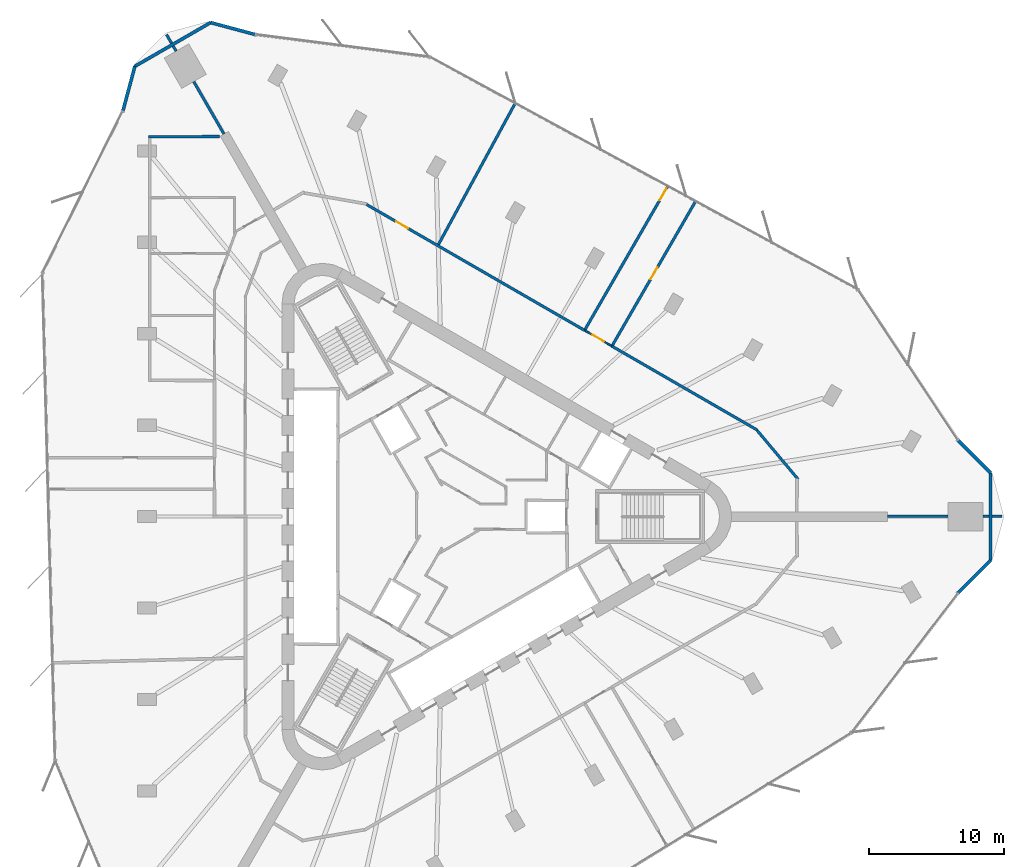
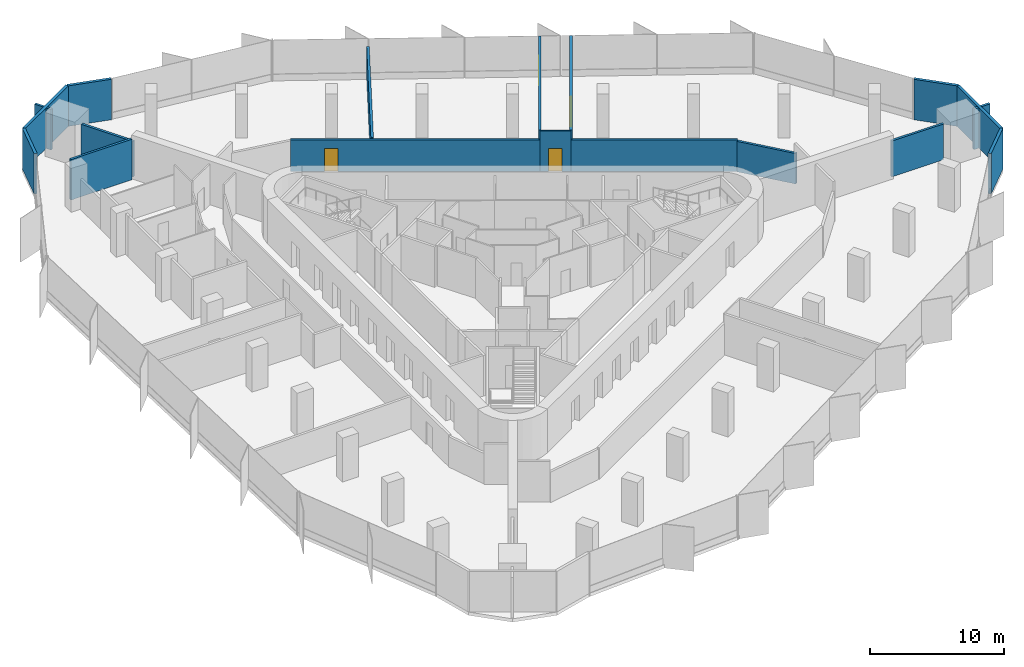
# One storey, part 12 of 14: 20 walls, 4 doors, 4 openings.
"""IFC4 building model written with IfcOpenShell, lengths in metres."""

from ifc_helpers import new_model, si_unit, direction, frame, frame_2d, origin, place, context, subcontext, project, spatial, rectangle, extrude, material, layer, layer_set, type_object, element, fill, save


model = new_model("IFC4")

# Units and contexts
model_context = context("Model", 3, precision=1e-05, world=origin(), true_north=direction((0.0, 1.0)))
body_context = subcontext(model_context, "Body", "Model", "MODEL_VIEW")
ifc_project = project(units=[si_unit("LENGTHUNIT", "METRE"), si_unit("AREAUNIT", "SQUARE_METRE"), si_unit("VOLUMEUNIT", "CUBIC_METRE"), si_unit("PLANEANGLEUNIT", "RADIAN"), si_unit("MASSUNIT", "GRAM", prefix="KILO")], contexts=[model_context])

# Site, building, storey
site_placement = place(None, origin())
site = spatial("IfcSite", under=ifc_project, at=site_placement, CompositionType="ELEMENT")
building_placement = place(site_placement, origin())
building = spatial("IfcBuilding", under=site, at=building_placement, Name="Tanit Gate Tower", CompositionType="ELEMENT")
storey_placement = place(building_placement, frame((0.0, 0.0, 225.199951171875)))
storey = spatial("IfcBuildingStorey", under=building, at=storey_placement, Name="L50", CompositionType="ELEMENT", Elevation=225.199951171875)

# Walls
ifc_material_1 = material(Name="Concrete C30/37 with bronze anodised aluminium cladding", Category="concrete")
ifc_layer_1 = layer(ifc_material_1, 0.239990234375)
ifc_layer_set_1 = layer_set([ifc_layer_1], Name="Facade wall bronze clad 240")
wall_type_1 = type_object("IfcWallType", Name="Facade wall bronze clad 240", PredefinedType="SOLIDWALL", material=ifc_layer_set_1)
wall_1_placement = place(storey_placement, frame((-14.09521484375, 35.705322265625, 0.0), z_axis=(0.0, 0.0, 1.0), x_axis=(-0.965908597484, 0.258883335322, 0.0)))
element("IfcWall", 1, at=wall_1_placement, inside=storey, type_object=wall_type_1, Name="Bronze-clad facade wall L50 NW.arc1", PredefinedType="SOLIDWALL", context=body_context, shape_type="SweptSolid", body=[
    extrude(rectangle(XDim=3.397705078125, YDim=0.239990234375, at=frame_2d((1.69873046875, 0.0))), origin(), (0.0, 0.0, 1.0), 3.699951171875),
])
wall_2_placement = place(storey_placement, frame((-17.377197265625, 36.5849609375, 0.0), z_axis=(0.0, 0.0, 1.0), x_axis=(-0.866022628259, -0.50000480732, 0.0)))
element("IfcWall", 2, at=wall_2_placement, inside=storey, type_object=wall_type_1, Name="Bronze-clad facade wall L50 NW.arc2", PredefinedType="SOLIDWALL", context=body_context, shape_type="SweptSolid", body=[
    extrude(rectangle(XDim=6.48681640625, YDim=0.239990234375, at=frame_2d((3.243408203125, 0.0))), origin(), (0.0, 0.0, 1.0), 3.699951171875),
])
wall_3_placement = place(storey_placement, frame((-22.994873046875, 33.341552734375, 0.0), z_axis=(0.0, 0.0, 1.0), x_axis=(-0.25879706975, -0.965931714299, 0.0)))
element("IfcWall", 3, at=wall_3_placement, inside=storey, type_object=wall_type_1, Name="Bronze-clad facade wall L50 NW.arc3", PredefinedType="SOLIDWALL", context=body_context, shape_type="SweptSolid", body=[
    extrude(rectangle(XDim=3.40185546875, YDim=0.239990234375, at=frame_2d((1.700927734375, 0.0))), origin(), (0.0, 0.0, 1.0), 3.699951171875),
])
wall_4_placement = place(storey_placement, frame((37.96923828125, -5.64599609375, 0.0), z_axis=(0.0, 0.0, 1.0), x_axis=(0.70714270502, 0.707070855528, 0.0)))
element("IfcWall", 4, at=wall_4_placement, inside=storey, type_object=wall_type_1, Name="Bronze-clad facade wall L50 E.arc1", PredefinedType="SOLIDWALL", context=body_context, shape_type="SweptSolid", body=[
    extrude(rectangle(XDim=3.39794921875, YDim=0.239990234375, at=frame_2d((1.698974609375, 0.0))), origin(), (0.0, 0.0, 1.0), 3.699951171875),
])
wall_5_placement = place(storey_placement, frame((40.3720703125, -3.243408203125, 0.0), z_axis=(0.0, 0.0, 1.0), x_axis=(0.0, 1.0, 0.0)))
element("IfcWall", 5, at=wall_5_placement, inside=storey, type_object=wall_type_1, Name="Bronze-clad facade wall L50 E.arc2", PredefinedType="SOLIDWALL", context=body_context, shape_type="SweptSolid", body=[
    extrude(rectangle(XDim=6.48681640625, YDim=0.239990234375, at=frame_2d((3.243408203125, 0.0))), origin(), (0.0, 0.0, 1.0), 3.699951171875),
])
wall_6_placement = place(storey_placement, frame((40.3720703125, 3.243408203125, 0.0), z_axis=(0.0, 0.0, 1.0), x_axis=(-0.707142664913, 0.707070895639, 0.0)))
element("IfcWall", 6, at=wall_6_placement, inside=storey, type_object=wall_type_1, Name="Bronze-clad facade wall L50 E.arc3", PredefinedType="SOLIDWALL", context=body_context, shape_type="SweptSolid", body=[
    extrude(rectangle(XDim=3.40185546875, YDim=0.239990234375, at=frame_2d((1.700927734375, 0.0))), origin(), (0.0, 0.0, 1.0), 3.699951171875),
])
ifc_material_2 = material(Name="Fire-rated gypsum board partition")
ifc_layer_2 = layer(ifc_material_2, 0.199951171875)
ifc_layer_set_2 = layer_set([ifc_layer_2], Name="INT-WALL-COMPARTMENT")
wall_type_2 = type_object("IfcWallType", Name="INT-WALL-COMPARTMENT", PredefinedType="PARTITIONING", material=ifc_layer_set_2)
wall_7_placement = place(storey_placement, frame((23.118896484375, 6.397705078125, 0.0), z_axis=(0.0, 0.0, 1.0), x_axis=(-0.866027821991, 0.499995811521, 0.0)))
element("IfcWall", 7, at=wall_7_placement, inside=storey, type_object=wall_type_2, Name="Wall Compartment W106", PredefinedType="PARTITIONING", context=body_context, shape_type="SweptSolid", body=[
    extrude(rectangle(XDim=12.47265625, YDim=0.199951171875, at=frame_2d((6.236328125, 0.0))), origin(), (0.0, 0.0, 1.0), 2.880126953125),
])

# Wall, opening, door
wall_8_placement = place(storey_placement, frame((10.325439453125, 13.783935546875, 0.0), z_axis=(0.0, 0.0, 1.0), x_axis=(-0.866025119466, 0.500000492453, 0.0)))
wall_8 = element("IfcWall", 8, at=wall_8_placement, inside=storey, type_object=wall_type_2, Name="Wall Compartment W105", PredefinedType="PARTITIONING", context=body_context, shape_type="SweptSolid", body=[
    extrude(rectangle(XDim=18.6728515625, YDim=0.199951171875, at=frame_2d((9.33642578125, 0.0))), origin(), (0.0, 0.0, 1.0), 2.880126953125),
])
opening_1_placement = place(wall_8_placement, frame((15.1181640625, 0.0, 0.0)))
opening_1 = element("IfcOpeningElement", 9, at=opening_1_placement, cuts=wall_8, Name="Opening F10-S13-29", PredefinedType="OPENING", context=body_context, shape_type="SweptSolid", body=[
    extrude(rectangle(XDim=1.0, YDim=2.10009765625, at=frame_2d((0.5, 1.050048828125))), frame((0.0, 0.10986328125, 0.0), z_axis=(0.0, -1.0, 0.0), x_axis=(1.0, 0.0, 0.0)), (0.0, 0.0, 1.0), 0.219970703125),
])
ifc_material_3 = material(Name="Fire-rated steel door leaf", Category="steel")
door_type_1 = type_object("IfcDoorType", Name="INT-DOOR-FIRE-1000", OperationType="NOTDEFINED", PredefinedType="USERDEFINED", material=ifc_material_3)
door_1_placement = place(opening_1_placement, origin())
door_1 = element("IfcDoor", 10, at=door_1_placement, inside=storey, type_object=door_type_1, Name="Door F10-S13-29", ObjectType="FIRE DOOR", OperationType="SINGLE_SWING_LEFT", OverallHeight=2.10009765625, OverallWidth=1.0, PredefinedType="USERDEFINED", context=body_context, shape_type="SweptSolid", body=[
    extrude(rectangle(XDim=1.0, YDim=2.10009765625, at=frame_2d((0.5, 1.050048828125))), frame((0.0, 0.02490234375, 0.0), z_axis=(0.0, -1.0, 0.0), x_axis=(1.0, 0.0, 0.0)), (0.0, 0.0, 1.0), 0.050048828125),
])
fill(opening_1, door_1)

# Walls
wall_9_placement = place(storey_placement, frame((26.12109375, 2.766357421875, 0.0), z_axis=(0.0, 0.0, 1.0), x_axis=(-0.642778291452, 0.766052261949, 0.0)))
element("IfcWall", 11, at=wall_9_placement, inside=storey, type_object=wall_type_2, Name="Wall Compartment W107", PredefinedType="PARTITIONING", context=body_context, shape_type="SweptSolid", body=[
    extrude(rectangle(XDim=4.70556640625, YDim=0.199951171875, at=frame_2d((2.352783203125, 0.0))), origin(), (0.0, 0.0, 1.0), 2.780029296875),
])
wall_10_placement = place(storey_placement, frame((-20.642578125, 35.69384765625, 0.0), z_axis=(0.0, 0.0, 1.0), x_axis=(0.500178781653, -0.865922159541, 0.0)))
element("IfcWall", 12, at=wall_10_placement, inside=storey, type_object=wall_type_2, Name="Wall Compartment W121", PredefinedType="PARTITIONING", context=body_context, shape_type="SweptSolid", body=[
    extrude(rectangle(XDim=0.740966796875, YDim=0.199951171875, at=frame_2d((0.37060546875, 0.0))), origin(), (0.0, 0.0, 1.0), 3.699951171875),
])
wall_11_placement = place(storey_placement, frame((-20.152099609375, 34.84423828125, 0.0), z_axis=(0.0, 0.0, 1.0), x_axis=(0.500286910726, -0.865859692419, 0.0)))
element("IfcWall", 13, at=wall_11_placement, inside=storey, type_object=wall_type_2, Name="Wall Compartment W121x1", PredefinedType="PARTITIONING", context=body_context, shape_type="SweptSolid", body=[
    extrude(rectangle(XDim=0.436767578125, YDim=0.199951171875, at=frame_2d((0.21826171875, 0.0))), origin(), (0.0, 0.0, 1.0), 3.699951171875),
])
wall_12_placement = place(storey_placement, frame((-18.633544921875, 32.21435546875, 0.0), z_axis=(0.0, 0.0, 1.0), x_axis=(0.499962811355, -0.866046873594, 0.0)))
element("IfcWall", 14, at=wall_12_placement, inside=storey, type_object=wall_type_2, Name="Wall Compartment W122", PredefinedType="PARTITIONING", context=body_context, shape_type="SweptSolid", body=[
    extrude(rectangle(XDim=4.484130859375, YDim=0.199951171875, at=frame_2d((2.2421875, 0.0))), origin(), (0.0, 0.0, 1.0), 3.27001953125),
])
wall_13_placement = place(storey_placement, frame((-16.708984375, 28.1474609375, 0.0), z_axis=(0.0, 0.0, 1.0), x_axis=(-0.999985868011, -0.00531636886, 0.0)))
element("IfcWall", 15, at=wall_13_placement, inside=storey, type_object=wall_type_2, Name="Wall Compartment W127", PredefinedType="PARTITIONING", context=body_context, shape_type="SweptSolid", body=[
    extrude(rectangle(XDim=5.281005859375, YDim=0.199951171875, at=frame_2d((2.640625, 0.0))), origin(), (0.0, 0.0, 1.0), 3.699951171875),
])

# Wall, opening, door
wall_14_placement = place(storey_placement, frame((16.468505859375, 24.46435546875, 0.0), z_axis=(0.0, 0.0, 1.0), x_axis=(-0.499989616998, -0.866031398331, 0.0)))
wall_14 = element("IfcWall", 16, at=wall_14_placement, inside=storey, type_object=wall_type_2, Name="Wall Compartment W129", PredefinedType="PARTITIONING", context=body_context, shape_type="SweptSolid", body=[
    extrude(rectangle(XDim=12.260986328125, YDim=0.199951171875, at=frame_2d((6.13037109375, 0.0))), origin(), (0.0, 0.0, 1.0), 3.699951171875),
])
opening_2_placement = place(wall_14_placement, frame((0.199951171875, 0.0, 0.0)))
opening_2 = element("IfcOpeningElement", 17, at=opening_2_placement, cuts=wall_14, Name="Opening F10-S13-30", PredefinedType="OPENING", context=body_context, shape_type="SweptSolid", body=[
    extrude(rectangle(XDim=1.0, YDim=2.10009765625, at=frame_2d((0.5, 1.050048828125))), frame((0.0, 0.10986328125, 0.0), z_axis=(0.0, -1.0, 0.0), x_axis=(1.0, 0.0, 0.0)), (0.0, 0.0, 1.0), 0.219970703125),
])
door_2_placement = place(opening_2_placement, origin())
door_2 = element("IfcDoor", 18, at=door_2_placement, inside=storey, type_object=door_type_1, Name="Door F10-S13-30", ObjectType="FIRE DOOR", OperationType="SINGLE_SWING_LEFT", OverallHeight=2.10009765625, OverallWidth=1.0, PredefinedType="USERDEFINED", context=body_context, shape_type="SweptSolid", body=[
    extrude(rectangle(XDim=1.0, YDim=2.10009765625, at=frame_2d((0.5, 1.050048828125))), frame((0.0, 0.02490234375, 0.0), z_axis=(0.0, -1.0, 0.0), x_axis=(1.0, 0.0, 0.0)), (0.0, 0.0, 1.0), 0.050048828125),
])
fill(opening_2, door_2)

wall_15_placement = place(storey_placement, frame((12.364501953125, 12.676025390625, 0.0), z_axis=(0.0, 0.0, 1.0), x_axis=(0.500008872635, 0.866020281106, 0.0)))
wall_15 = element("IfcWall", 19, at=wall_15_placement, inside=storey, type_object=wall_type_2, Name="Wall Compartment W130", PredefinedType="PARTITIONING", context=body_context, shape_type="SweptSolid", body=[
    extrude(rectangle(XDim=12.322021484375, YDim=0.199951171875, at=frame_2d((6.1611328125, 0.0))), origin(), (0.0, 0.0, 1.0), 3.699951171875),
])
opening_3_placement = place(wall_15_placement, frame((5.660888671875, 0.0, 0.0)))
opening_3 = element("IfcOpeningElement", 20, at=opening_3_placement, cuts=wall_15, Name="Opening F10-S13-31", PredefinedType="OPENING", context=body_context, shape_type="SweptSolid", body=[
    extrude(rectangle(XDim=1.0, YDim=2.10009765625, at=frame_2d((0.5, 1.050048828125))), frame((0.0, 0.10986328125, 0.0), z_axis=(0.0, -1.0, 0.0), x_axis=(1.0, 0.0, 0.0)), (0.0, 0.0, 1.0), 0.219970703125),
])
door_3_placement = place(opening_3_placement, origin())
door_3 = element("IfcDoor", 21, at=door_3_placement, inside=storey, type_object=door_type_1, Name="Door F10-S13-31", ObjectType="FIRE DOOR", OperationType="SINGLE_SWING_RIGHT", OverallHeight=2.10009765625, OverallWidth=1.0, PredefinedType="USERDEFINED", context=body_context, shape_type="SweptSolid", body=[
    extrude(rectangle(XDim=1.0, YDim=2.10009765625, at=frame_2d((0.5, 1.050048828125))), frame((0.0, 0.02490234375, 0.0), z_axis=(0.0, -1.0, 0.0), x_axis=(1.0, 0.0, 0.0)), (0.0, 0.0, 1.0), 0.050048828125),
])
fill(opening_3, door_3)

# Walls
wall_16_placement = place(storey_placement, frame((-0.507568359375, 20.15380859375, 0.0), z_axis=(0.0, 0.0, 1.0), x_axis=(0.477264499804, 0.878759692536, 0.0)))
element("IfcWall", 22, at=wall_16_placement, inside=storey, type_object=wall_type_2, Name="Wall Compartment W131", PredefinedType="PARTITIONING", context=body_context, shape_type="SweptSolid", body=[
    extrude(rectangle(XDim=11.8896484375, YDim=0.199951171875, at=frame_2d((5.94482421875, 0.0))), origin(), (0.0, 0.0, 1.0), 2.97998046875),
])
wall_17_placement = place(storey_placement, frame((32.73095703125, 0.030029296875, 0.0), z_axis=(0.0, 0.0, 1.0), x_axis=(1.0, 0.0, 0.0)))
element("IfcWall", 23, at=wall_17_placement, inside=storey, type_object=wall_type_2, Name="Wall Compartment W132", PredefinedType="PARTITIONING", context=body_context, shape_type="SweptSolid", body=[
    extrude(rectangle(XDim=4.484375, YDim=0.199951171875, at=frame_2d((2.2421875, 0.0))), origin(), (0.0, 0.0, 1.0), 3.27001953125),
])
wall_18_placement = place(storey_placement, frame((39.815185546875, 0.030029296875, 0.0), z_axis=(0.0, 0.0, 1.0), x_axis=(1.0, 0.0, 0.0)))
element("IfcWall", 24, at=wall_18_placement, inside=storey, type_object=wall_type_2, Name="Wall Compartment W133", PredefinedType="PARTITIONING", context=body_context, shape_type="SweptSolid", body=[
    extrude(rectangle(XDim=0.436767578125, YDim=0.199951171875, at=frame_2d((0.21826171875, 0.0))), origin(), (0.0, 0.0, 1.0), 3.699951171875),
])
wall_19_placement = place(storey_placement, frame((40.491943359375, 0.030029296875, 0.0), z_axis=(0.0, 0.0, 1.0), x_axis=(1.0, 0.0, 0.0)))
element("IfcWall", 25, at=wall_19_placement, inside=storey, type_object=wall_type_2, Name="Wall Compartment W133x1", PredefinedType="PARTITIONING", context=body_context, shape_type="SweptSolid", body=[
    extrude(rectangle(XDim=0.7412109375, YDim=0.199951171875, at=frame_2d((0.37060546875, 0.0))), origin(), (0.0, 0.0, 1.0), 3.699951171875),
])

# Wall, opening, door
ifc_material_4 = material(Name="Gypsum board partition")
ifc_layer_3 = layer(ifc_material_4, 0.1201171875)
ifc_layer_set_3 = layer_set([ifc_layer_3], Name="INT-WALL-PARTITION")
wall_type_3 = type_object("IfcWallType", Name="INT-WALL-PARTITION", PredefinedType="PARTITIONING", material=ifc_layer_set_3)
wall_20_placement = place(storey_placement, frame((10.325439453125, 13.783935546875, 0.0), z_axis=(0.0, 0.0, 1.0), x_axis=(0.86602648383, -0.499998129301, 0.0)))
wall_20 = element("IfcWall", 26, at=wall_20_placement, inside=storey, type_object=wall_type_3, Name="Wall Partition W101", PredefinedType="PARTITIONING", context=body_context, shape_type="SweptSolid", body=[
    extrude(rectangle(XDim=2.2998046875, YDim=0.1201171875, at=frame_2d((1.14990234375, 0.0))), origin(), (0.0, 0.0, 1.0), 3.699951171875),
])
opening_4_placement = place(wall_20_placement, frame((0.64990234375, 0.0, 0.0)))
opening_4 = element("IfcOpeningElement", 27, at=opening_4_placement, cuts=wall_20, Name="Opening D10-S13-20", PredefinedType="OPENING", context=body_context, shape_type="SweptSolid", body=[
    extrude(rectangle(XDim=1.0, YDim=2.10009765625, at=frame_2d((0.5, 1.050048828125))), frame((0.0, 0.070068359375, 0.0), z_axis=(0.0, -1.0, 0.0), x_axis=(1.0, 0.0, 0.0)), (0.0, 0.0, 1.0), 0.14013671875),
])
ifc_material_5 = material(Name="Timber door leaf", Category="wood")
door_type_2 = type_object("IfcDoorType", Name="INT-DOOR-SINGLE-1000", OperationType="NOTDEFINED", PredefinedType="NOTDEFINED", material=ifc_material_5)
door_4_placement = place(opening_4_placement, origin())
door_4 = element("IfcDoor", 28, at=door_4_placement, inside=storey, type_object=door_type_2, Name="Door D10-S13-20", OperationType="SINGLE_SWING_LEFT", OverallHeight=2.10009765625, OverallWidth=1.0, PredefinedType="NOTDEFINED", context=body_context, shape_type="SweptSolid", body=[
    extrude(rectangle(XDim=1.0, YDim=2.10009765625, at=frame_2d((0.5, 1.050048828125))), frame((0.0, 0.02490234375, 0.0), z_axis=(0.0, -1.0, 0.0), x_axis=(1.0, 0.0, 0.0)), (0.0, 0.0, 1.0), 0.050048828125),
])
fill(opening_4, door_4)

save(model, "model.ifc")
